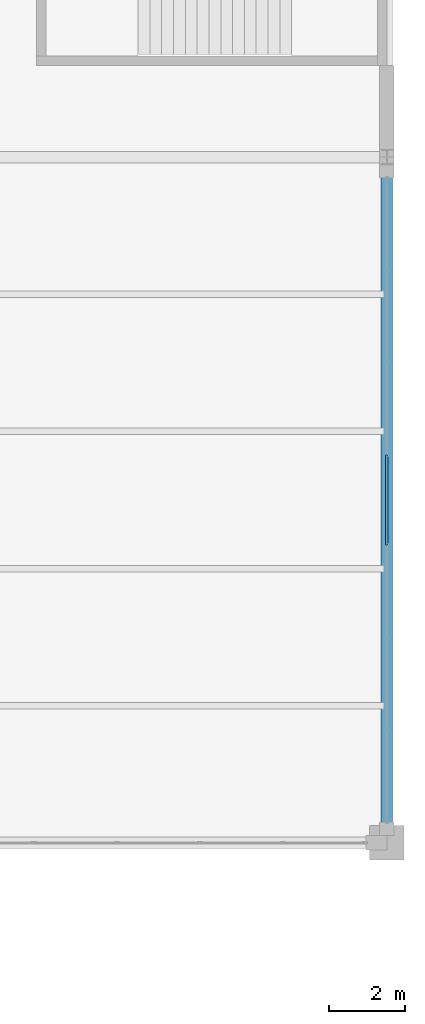
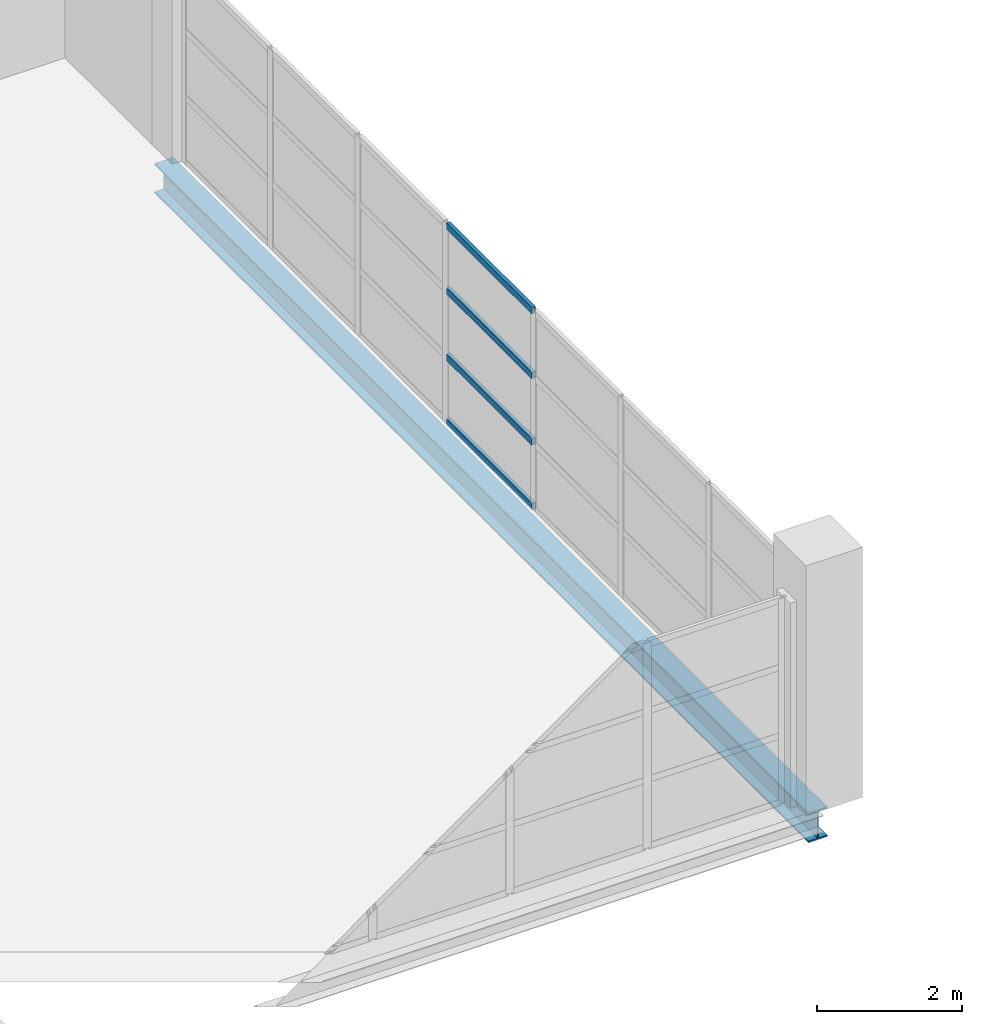
# One storey, part 108 of 158: 4 members, 1 beam, 1 element without a shape of its own.
"""IFC4 building model written with IfcOpenShell, lengths in metres."""

from ifc_helpers import new_model, si_unit, direction, frame, origin, origin_2d, place, context, subcontext, project, spatial, hollow_rectangle, i_section, extrude, material, layer, layer_set, material_profile, profile_set, type_object, element, aggregate, save


model = new_model("IFC4")

# Units and contexts
model_context = context("Model", 3, precision=1e-05, world=origin(), true_north=direction((0.0, 1.0)))
body_context = subcontext(model_context, "Body", "Model", "MODEL_VIEW")
ifc_project = project(units=[si_unit("LENGTHUNIT", "METRE"), si_unit("AREAUNIT", "SQUARE_METRE"), si_unit("VOLUMEUNIT", "CUBIC_METRE"), si_unit("PLANEANGLEUNIT", "RADIAN"), si_unit("MASSUNIT", "GRAM", prefix="KILO")], contexts=[model_context])

# Site, building, storey
site_placement = place(None, origin())
site = spatial("IfcSite", under=ifc_project, at=site_placement, CompositionType="ELEMENT")
building_placement = place(site_placement, origin())
building = spatial("IfcBuilding", under=site, at=building_placement, Name="Zilviju Railside Exhibition Hall", CompositionType="ELEMENT")
storey_placement = place(building_placement, frame((0.0, 0.0, 4.199951171875)))
storey = spatial("IfcBuildingStorey", under=building, at=storey_placement, Name="L02", CompositionType="ELEMENT", Elevation=4.199951171875)

# Beam
ifc_material_1 = material(Name="Steel S355J2", Category="steel")
ifc_material_profile_1 = material_profile(ifc_material_1, i_section(OverallWidth=0.300048828125, OverallDepth=0.5, WebThickness=0.014404296875, FlangeThickness=0.028076171875, at=origin_2d()), Name="HEB 500")
ifc_profile_set_1 = profile_set([ifc_material_profile_1], Name="Steel S355J2")
beam_type = type_object("IfcBeamType", Name="BM-HEB500", PredefinedType="BEAM", material=ifc_profile_set_1)
beam_placement = place(storey_placement, frame((216.0, 84.0, -0.579833984375), z_axis=(0.0, 1.0, 0.0), x_axis=(-1.0, 0.0, 0.0)))
element("IfcBeam", 1, at=beam_placement, inside=storey, type_object=beam_type, Name="Transverse Girder L02 X=216.0 (84.0..102.0)", PredefinedType="BEAM", context=body_context, shape_type="SweptSolid", body=[
    extrude(i_section(OverallWidth=0.300048828125, OverallDepth=0.5, WebThickness=0.014404296875, FlangeThickness=0.028076171875, at=origin_2d()), origin(), (0.0, 0.0, 1.0), 18.0),
])

# Curtain wall, members
ifc_material_2 = material(Name="Thermally broken aluminium-steel triple-glazed curtain wall", Category="steel")
ifc_layer = layer(ifc_material_2, 0.179931640625)
ifc_layer_set = layer_set([ifc_layer], Name="Thermally broken aluminium-steel triple-glazed curtain wall")
curtain_wall_type = type_object("IfcCurtainWallType", Name="CW-BAY-15", PredefinedType="USERDEFINED", material=ifc_layer_set)
curtain_wall_placement = place(storey_placement, origin())
curtain_wall = element("IfcCurtainWall", 2, at=curtain_wall_placement, inside=storey, type_object=curtain_wall_type, Name="North Hall East Glazed Gable L02 (84..102)", ObjectType="GLAZED CURTAIN WALL", PredefinedType="USERDEFINED")
ifc_material_3 = material(Name="Thermally broken anodized aluminium transom", Category="aluminium")
ifc_material_profile_2 = material_profile(ifc_material_3, hollow_rectangle(XDim=0.06005859375, YDim=0.110107421875, WallThickness=0.0048828125, at=origin_2d()), Name="TRANSOM 110x60x5")
ifc_profile_set_2 = profile_set([ifc_material_profile_2], Name="Thermally broken anodized aluminium transom")
member_type = type_object("IfcMemberType", Name="CWT-60x110", PredefinedType="USERDEFINED", material=ifc_profile_set_2)
member_1_placement = place(storey_placement, frame((216.0, 94.17724609375, 0.030029296875), z_axis=(0.0, -1.0, 0.0), x_axis=(1.0, 0.0, 0.0)))
member_1 = element("IfcMember", 3, at=member_1_placement, type_object=member_type, Name="CW-15 transom 4.1", ObjectType="TRANSOM", PredefinedType="USERDEFINED", context=body_context, shape_type="SweptSolid", body=[
    extrude(hollow_rectangle(XDim=0.06005859375, YDim=0.110107421875, WallThickness=0.0048828125, at=origin_2d()), origin(), (0.0, 0.0, 1.0), 2.3544921875),
])
member_2_placement = place(storey_placement, frame((216.0, 94.17724609375, 1.116943359375), z_axis=(0.0, -1.0, 0.0), x_axis=(1.0, 0.0, 0.0)))
member_2 = element("IfcMember", 4, at=member_2_placement, type_object=member_type, Name="CW-15 transom 4.2", ObjectType="TRANSOM", PredefinedType="USERDEFINED", context=body_context, shape_type="SweptSolid", body=[
    extrude(hollow_rectangle(XDim=0.06005859375, YDim=0.110107421875, WallThickness=0.0048828125, at=origin_2d()), origin(), (0.0, 0.0, 1.0), 2.3544921875),
])
member_3_placement = place(storey_placement, frame((216.0, 94.17724609375, 2.233154296875), z_axis=(0.0, -1.0, 0.0), x_axis=(1.0, 0.0, 0.0)))
member_3 = element("IfcMember", 5, at=member_3_placement, type_object=member_type, Name="CW-15 transom 4.3", ObjectType="TRANSOM", PredefinedType="USERDEFINED", context=body_context, shape_type="SweptSolid", body=[
    extrude(hollow_rectangle(XDim=0.06005859375, YDim=0.110107421875, WallThickness=0.0048828125, at=origin_2d()), origin(), (0.0, 0.0, 1.0), 2.3544921875),
])
member_4_placement = place(storey_placement, frame((216.0, 94.17724609375, 3.320068359375), z_axis=(0.0, -1.0, 0.0), x_axis=(1.0, 0.0, 0.0)))
member_4 = element("IfcMember", 6, at=member_4_placement, type_object=member_type, Name="CW-15 transom 4.4", ObjectType="TRANSOM", PredefinedType="USERDEFINED", context=body_context, shape_type="SweptSolid", body=[
    extrude(hollow_rectangle(XDim=0.06005859375, YDim=0.110107421875, WallThickness=0.0048828125, at=origin_2d()), origin(), (0.0, 0.0, 1.0), 2.3544921875),
])
aggregate(curtain_wall, [member_1, member_2, member_3, member_4])

save(model, "model.ifc")
